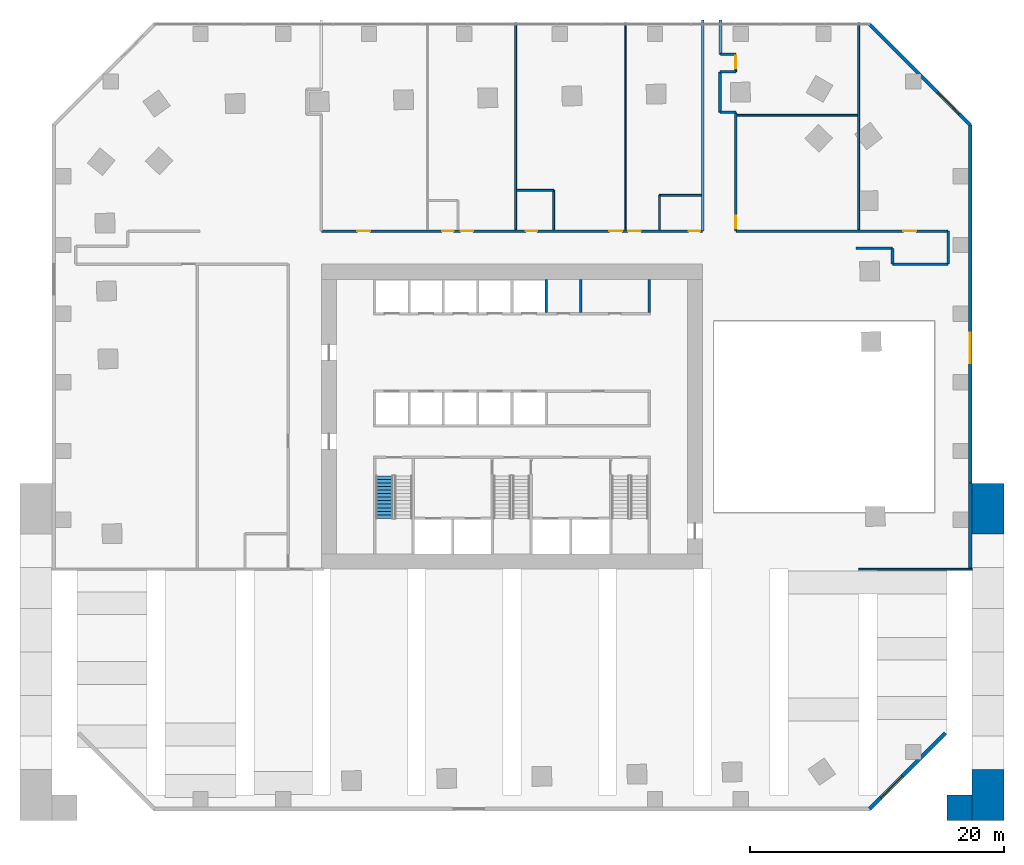
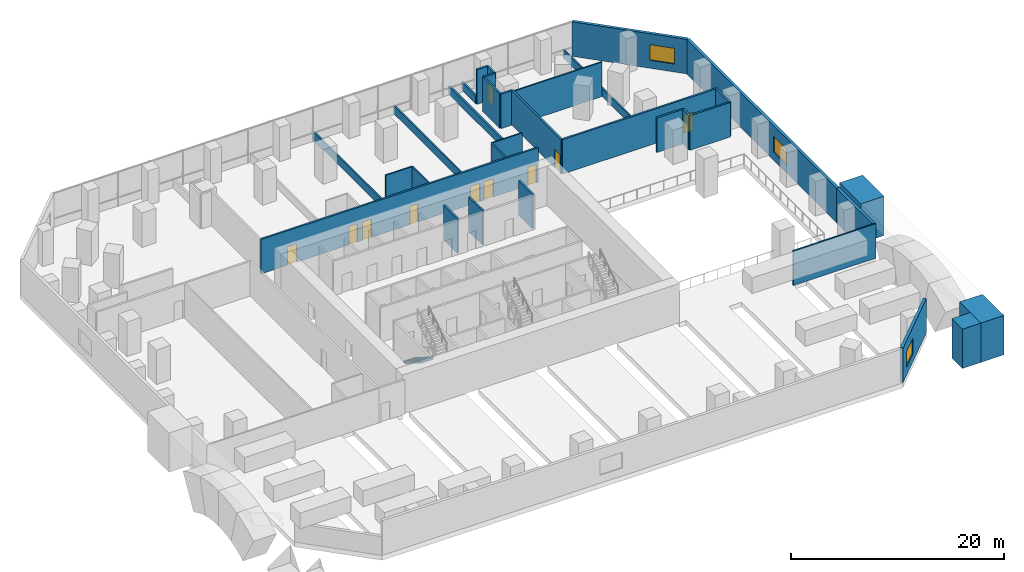
# One storey, part 9 of 13: 33 walls, 10 doors, 3 windows, 1 stair flight, 13 openings, 1 element without a shape of its own.
"""IFC4 building model written with IfcOpenShell, lengths in metres."""

from ifc_helpers import new_model, si_unit, direction, frame, frame_2d, origin, place, context, subcontext, project, spatial, polyline, rectangle, outline, extrude, material, layer, layer_set, type_object, element, fill, aggregate, save


model = new_model("IFC4")

# Units and contexts
model_context = context("Model", 3, precision=1e-05, world=origin(), true_north=direction((0.0, 1.0)))
body_context = subcontext(model_context, "Body", "Model", "MODEL_VIEW")
ifc_project = project(units=[si_unit("LENGTHUNIT", "METRE"), si_unit("AREAUNIT", "SQUARE_METRE"), si_unit("VOLUMEUNIT", "CUBIC_METRE"), si_unit("PLANEANGLEUNIT", "RADIAN"), si_unit("MASSUNIT", "GRAM", prefix="KILO")], contexts=[model_context])

# Site, building, storey
site_placement = place(None, origin())
site = spatial("IfcSite", under=ifc_project, at=site_placement, CompositionType="ELEMENT")
building_placement = place(site_placement, origin())
building = spatial("IfcBuilding", under=site, at=building_placement, Name="Mangrove Gate Tower", CompositionType="ELEMENT")
storey_placement = place(building_placement, frame((0.0, 0.0, 20.5)))
storey = spatial("IfcBuildingStorey", under=building, at=storey_placement, Name="L04", CompositionType="ELEMENT", Elevation=20.5)

# Walls
ifc_material_1 = material(Name="Concrete C32/40", Category="concrete")
ifc_layer_1 = layer(ifc_material_1, 0.199951171875)
ifc_layer_set_1 = layer_set([ifc_layer_1], Name="Core room wall 200 C32/40")
wall_type_1 = type_object("IfcWallType", Name="Core room wall 200 C32/40", PredefinedType="STANDARD", material=ifc_layer_set_1)
for number, where, z_axis, x_axis, name in (
    (1, (5.39990234375, 8.199951171875, 0.0), (0.0, 0.0, 1.0), (0.0, 1.0, 0.0), "WALL-L04-CORE-32"),
    (2, (10.800048828125, 8.199951171875, 0.0), (0.0, 0.0, 1.0), (0.0, 1.0, 0.0), "WALL-L04-CORE-33"),
):
    element("IfcWall", number, at=place(storey_placement, frame(where, z_axis=z_axis, x_axis=x_axis)), inside=storey, type_object=wall_type_1, Name=name, PredefinedType="STANDARD", context=body_context, shape_type="SweptSolid", body=[
        extrude(rectangle(XDim=2.60009765625, YDim=0.199951171875, at=frame_2d((1.300048828125, 0.0))), origin(), (0.0, 0.0, 1.0), 3.949951171875),
    ])
ifc_material_2 = material(Name="Concrete C70/85", Category="concrete")
ifc_layer_2 = layer(ifc_material_2, 0.199951171875)
ifc_layer_set_2 = layer_set([ifc_layer_2], Name="Core shaft wall 200 C70/85")
wall_type_2 = type_object("IfcWallType", Name="Core shaft wall 200 C70/85", PredefinedType="SHEAR", material=ifc_layer_set_2)
wall_1_placement = place(storey_placement, frame((2.699951171875, 8.199951171875, 0.0), z_axis=(0.0, 0.0, 1.0), x_axis=(0.0, 1.0, 0.0)))
element("IfcWall", 3, at=wall_1_placement, inside=storey, type_object=wall_type_2, Name="WALL-L04-CORE-31", PredefinedType="SHEAR", context=body_context, shape_type="SweptSolid", body=[
    extrude(rectangle(XDim=2.60009765625, YDim=0.199951171875, at=frame_2d((1.300048828125, 0.0))), origin(), (0.0, 0.0, 1.0), 3.949951171875),
])
ifc_material_3 = material(Name="Gypsum board on steel stud, EI 60", Category="steel")
ifc_layer_3 = layer(ifc_material_3, 0.199951171875)
ifc_layer_set_3 = layer_set([ifc_layer_3], Name="Corridor wall EI 60")
wall_type_3 = type_object("IfcWallType", Name="Corridor wall EI 60", PredefinedType="PARTITIONING", material=ifc_layer_set_3)
wall_2_placement = place(storey_placement, frame((29.929931640625, 12.0, 0.0), z_axis=(0.0, 0.0, 1.0), x_axis=(0.0, 1.0, 0.0)))
element("IfcWall", 4, at=wall_2_placement, inside=storey, type_object=wall_type_3, Name="WALL-L04-010", PredefinedType="PARTITIONING", context=body_context, shape_type="SweptSolid", body=[
    extrude(rectangle(XDim=1.243896484375, YDim=0.199951171875, at=frame_2d((0.6220703125, 0.0))), origin(), (0.0, 0.0, 1.0), 3.949951171875),
])
wall_3_placement = place(storey_placement, frame((29.93505859375, 12.0, 0.0), z_axis=(0.0, 0.0, 1.0), x_axis=(1.0, 0.0, 0.0)))
element("IfcWall", 5, at=wall_3_placement, inside=storey, type_object=wall_type_3, Name="WALL-L04-011", PredefinedType="PARTITIONING", context=body_context, shape_type="SweptSolid", body=[
    extrude(rectangle(XDim=4.364990234375, YDim=0.199951171875, at=frame_2d((2.1826171875, 0.0))), origin(), (0.0, 0.0, 1.0), 3.949951171875),
])
wall_4_placement = place(storey_placement, frame((34.300048828125, 12.0, 0.0), z_axis=(0.0, 0.0, 1.0), x_axis=(0.0, 1.0, 0.0)))
element("IfcWall", 6, at=wall_4_placement, inside=storey, type_object=wall_type_3, Name="WALL-L04-012", PredefinedType="PARTITIONING", context=body_context, shape_type="SweptSolid", body=[
    extrude(rectangle(XDim=2.60009765625, YDim=0.199951171875, at=frame_2d((1.300048828125, 0.0))), origin(), (0.0, 0.0, 1.0), 3.949951171875),
])
wall_5_placement = place(storey_placement, frame((27.055908203125, 13.239990234375, 0.0), z_axis=(0.0, 0.0, 1.0), x_axis=(1.0, 0.0, 0.0)))
element("IfcWall", 7, at=wall_5_placement, inside=storey, type_object=wall_type_3, Name="WALL-L04-013", PredefinedType="PARTITIONING", context=body_context, shape_type="SweptSolid", body=[
    extrude(rectangle(XDim=2.879150390625, YDim=0.199951171875, at=frame_2d((1.439453125, 0.0))), origin(), (0.0, 0.0, 1.0), 3.949951171875),
])

# Wall, openings, doors
wall_6_placement = place(storey_placement, frame((-15.0, 14.60009765625, 0.0), z_axis=(0.0, 0.0, 1.0), x_axis=(1.0, 0.0, 0.0)))
wall_6 = element("IfcWall", 8, at=wall_6_placement, inside=storey, type_object=wall_type_3, Name="WALL-L04-017", PredefinedType="PARTITIONING", context=body_context, shape_type="SweptSolid", body=[
    extrude(rectangle(XDim=30.0, YDim=0.199951171875, at=frame_2d((15.0, 0.0))), origin(), (0.0, 0.0, 1.0), 3.949951171875),
])
opening_1_placement = place(wall_6_placement, frame((2.841064453125, 0.0, 0.0)))
opening_1 = element("IfcOpeningElement", 9, at=opening_1_placement, cuts=wall_6, Name="Opening AD", PredefinedType="OPENING", context=body_context, shape_type="SweptSolid", body=[
    extrude(rectangle(XDim=1.0, YDim=2.10009765625, at=frame_2d((0.5, 1.050048828125))), frame((0.0, 0.10986328125, 0.0), z_axis=(0.0, -1.0, 0.0), x_axis=(1.0, 0.0, 0.0)), (0.0, 0.0, 1.0), 0.219970703125),
])
opening_2_placement = place(wall_6_placement, frame((10.949951171875, 0.0, 0.0)))
opening_2 = element("IfcOpeningElement", 10, at=opening_2_placement, cuts=wall_6, Name="Opening AD", PredefinedType="OPENING", context=body_context, shape_type="SweptSolid", body=[
    extrude(rectangle(XDim=1.0, YDim=2.10009765625, at=frame_2d((0.5, 1.050048828125))), frame((0.0, 0.10986328125, 0.0), z_axis=(0.0, -1.0, 0.0), x_axis=(1.0, 0.0, 0.0)), (0.0, 0.0, 1.0), 0.219970703125),
])
opening_3_placement = place(wall_6_placement, frame((9.507080078125, 0.0, 0.0)))
opening_3 = element("IfcOpeningElement", 11, at=opening_3_placement, cuts=wall_6, Name="Opening SD", PredefinedType="OPENING", context=body_context, shape_type="SweptSolid", body=[
    extrude(rectangle(XDim=0.89990234375, YDim=2.10009765625, at=frame_2d((0.449951171875, 1.050048828125))), frame((0.0, 0.10986328125, 0.0), z_axis=(0.0, -1.0, 0.0), x_axis=(1.0, 0.0, 0.0)), (0.0, 0.0, 1.0), 0.219970703125),
])
opening_4_placement = place(wall_6_placement, frame((22.657958984375, 0.0, 0.0)))
opening_4 = element("IfcOpeningElement", 12, at=opening_4_placement, cuts=wall_6, Name="Opening AD", PredefinedType="OPENING", context=body_context, shape_type="SweptSolid", body=[
    extrude(rectangle(XDim=1.0, YDim=2.10009765625, at=frame_2d((0.5, 1.050048828125))), frame((0.0, 0.10986328125, 0.0), z_axis=(0.0, -1.0, 0.0), x_axis=(1.0, 0.0, 0.0)), (0.0, 0.0, 1.0), 0.219970703125),
])
opening_5_placement = place(wall_6_placement, frame((16.083984375, 0.0, 0.0)))
opening_5 = element("IfcOpeningElement", 13, at=opening_5_placement, cuts=wall_6, Name="Opening SD", PredefinedType="OPENING", context=body_context, shape_type="SweptSolid", body=[
    extrude(rectangle(XDim=0.89990234375, YDim=2.10009765625, at=frame_2d((0.449951171875, 1.050048828125))), frame((0.0, 0.10986328125, 0.0), z_axis=(0.0, -1.0, 0.0), x_axis=(1.0, 0.0, 0.0)), (0.0, 0.0, 1.0), 0.219970703125),
])
opening_6_placement = place(wall_6_placement, frame((24.1298828125, 0.0, 0.0)))
opening_6 = element("IfcOpeningElement", 14, at=opening_6_placement, cuts=wall_6, Name="Opening AD", PredefinedType="OPENING", context=body_context, shape_type="SweptSolid", body=[
    extrude(rectangle(XDim=1.0, YDim=2.10009765625, at=frame_2d((0.5, 1.050048828125))), frame((0.0, 0.10986328125, 0.0), z_axis=(0.0, -1.0, 0.0), x_axis=(1.0, 0.0, 0.0)), (0.0, 0.0, 1.0), 0.219970703125),
])
opening_7_placement = place(wall_6_placement, frame((28.89990234375, 0.0, 0.0)))
opening_7 = element("IfcOpeningElement", 15, at=opening_7_placement, cuts=wall_6, Name="Opening SD", PredefinedType="OPENING", context=body_context, shape_type="SweptSolid", body=[
    extrude(rectangle(XDim=0.89990234375, YDim=2.10009765625, at=frame_2d((0.449951171875, 1.050048828125))), frame((0.0, 0.10986328125, 0.0), z_axis=(0.0, -1.0, 0.0), x_axis=(1.0, 0.0, 0.0)), (0.0, 0.0, 1.0), 0.219970703125),
])
ifc_material_4 = material(Name="Timber door leaf", Category="wood")
door_type_1 = type_object("IfcDoorType", Name="Amenity door 1000", OperationType="SINGLE_SWING_LEFT", PredefinedType="DOOR", material=ifc_material_4)
door_1_placement = place(opening_1_placement, origin())
door_1 = element("IfcDoor", 16, at=door_1_placement, inside=storey, type_object=door_type_1, Name="DOOR-L04-POD-04", OperationType="SINGLE_SWING_RIGHT", OverallHeight=2.10009765625, OverallWidth=1.0, PredefinedType="DOOR", context=body_context, shape_type="SweptSolid", body=[
    extrude(rectangle(XDim=1.0, YDim=2.10009765625, at=frame_2d((0.5, 1.050048828125))), frame((0.0, 0.02490234375, 0.0), z_axis=(0.0, -1.0, 0.0), x_axis=(1.0, 0.0, 0.0)), (0.0, 0.0, 1.0), 0.050048828125),
])
fill(opening_1, door_1)
door_2_placement = place(opening_2_placement, origin())
door_2 = element("IfcDoor", 17, at=door_2_placement, inside=storey, type_object=door_type_1, Name="DOOR-L04-POD-05", OperationType="SINGLE_SWING_LEFT", OverallHeight=2.10009765625, OverallWidth=1.0, PredefinedType="DOOR", context=body_context, shape_type="SweptSolid", body=[
    extrude(rectangle(XDim=1.0, YDim=2.10009765625, at=frame_2d((0.5, 1.050048828125))), frame((0.0, 0.02490234375, 0.0), z_axis=(0.0, -1.0, 0.0), x_axis=(1.0, 0.0, 0.0)), (0.0, 0.0, 1.0), 0.050048828125),
])
fill(opening_2, door_2)
door_3_placement = place(opening_4_placement, origin())
door_3 = element("IfcDoor", 18, at=door_3_placement, inside=storey, type_object=door_type_1, Name="DOOR-L04-POD-06", OperationType="SINGLE_SWING_RIGHT", OverallHeight=2.10009765625, OverallWidth=1.0, PredefinedType="DOOR", context=body_context, shape_type="SweptSolid", body=[
    extrude(rectangle(XDim=1.0, YDim=2.10009765625, at=frame_2d((0.5, 1.050048828125))), frame((0.0, 0.02490234375, 0.0), z_axis=(0.0, -1.0, 0.0), x_axis=(1.0, 0.0, 0.0)), (0.0, 0.0, 1.0), 0.050048828125),
])
fill(opening_4, door_3)
door_4_placement = place(opening_6_placement, origin())
door_4 = element("IfcDoor", 19, at=door_4_placement, inside=storey, type_object=door_type_1, Name="DOOR-L04-POD-07", OperationType="SINGLE_SWING_LEFT", OverallHeight=2.10009765625, OverallWidth=1.0, PredefinedType="DOOR", context=body_context, shape_type="SweptSolid", body=[
    extrude(rectangle(XDim=1.0, YDim=2.10009765625, at=frame_2d((0.5, 1.050048828125))), frame((0.0, 0.02490234375, 0.0), z_axis=(0.0, -1.0, 0.0), x_axis=(1.0, 0.0, 0.0)), (0.0, 0.0, 1.0), 0.050048828125),
])
fill(opening_6, door_4)
ifc_material_5 = material(Name="Timber door leaf", Category="wood")
door_type_2 = type_object("IfcDoorType", Name="Service room door 900", OperationType="SINGLE_SWING_LEFT", PredefinedType="DOOR", material=ifc_material_5)
door_5_placement = place(opening_3_placement, origin())
door_5 = element("IfcDoor", 20, at=door_5_placement, inside=storey, type_object=door_type_2, Name="DOOR-L04-PSV-05", OperationType="SINGLE_SWING_RIGHT", OverallHeight=2.10009765625, OverallWidth=0.89990234375, PredefinedType="DOOR", context=body_context, shape_type="SweptSolid", body=[
    extrude(rectangle(XDim=0.89990234375, YDim=2.10009765625, at=frame_2d((0.449951171875, 1.050048828125))), frame((0.0, 0.02490234375, 0.0), z_axis=(0.0, -1.0, 0.0), x_axis=(1.0, 0.0, 0.0)), (0.0, 0.0, 1.0), 0.050048828125),
])
fill(opening_3, door_5)
door_6_placement = place(opening_5_placement, origin())
door_6 = element("IfcDoor", 21, at=door_6_placement, inside=storey, type_object=door_type_2, Name="DOOR-L04-PSV-06", OperationType="SINGLE_SWING_LEFT", OverallHeight=2.10009765625, OverallWidth=0.89990234375, PredefinedType="DOOR", context=body_context, shape_type="SweptSolid", body=[
    extrude(rectangle(XDim=0.89990234375, YDim=2.10009765625, at=frame_2d((0.449951171875, 1.050048828125))), frame((0.0, 0.02490234375, 0.0), z_axis=(0.0, -1.0, 0.0), x_axis=(1.0, 0.0, 0.0)), (0.0, 0.0, 1.0), 0.050048828125),
])
fill(opening_5, door_6)
door_7_placement = place(opening_7_placement, origin())
door_7 = element("IfcDoor", 22, at=door_7_placement, inside=storey, type_object=door_type_2, Name="DOOR-L04-PSV-07", OperationType="SINGLE_SWING_RIGHT", OverallHeight=2.10009765625, OverallWidth=0.89990234375, PredefinedType="DOOR", context=body_context, shape_type="SweptSolid", body=[
    extrude(rectangle(XDim=0.89990234375, YDim=2.10009765625, at=frame_2d((0.449951171875, 1.050048828125))), frame((0.0, 0.02490234375, 0.0), z_axis=(0.0, -1.0, 0.0), x_axis=(1.0, 0.0, 0.0)), (0.0, 0.0, 1.0), 0.050048828125),
])
fill(opening_7, door_7)

# Wall
wall_7_placement = place(storey_placement, frame((15.0, 14.60009765625, 0.0), z_axis=(0.0, 0.0, 1.0), x_axis=(0.0, 1.0, 0.0)))
element("IfcWall", 23, at=wall_7_placement, inside=storey, type_object=wall_type_3, Name="WALL-L04-025", PredefinedType="PARTITIONING", context=body_context, shape_type="SweptSolid", body=[
    extrude(rectangle(XDim=16.599853515625, YDim=0.199951171875, at=frame_2d((8.2998046875, 0.0))), origin(), (0.0, 0.0, 1.0), 0.93994140625),
])

# Wall, opening, door
wall_8_placement = place(storey_placement, frame((17.60009765625, 14.60009765625, 0.0), z_axis=(0.0, 0.0, 1.0), x_axis=(1.0, 0.0, 0.0)))
wall_8 = element("IfcWall", 24, at=wall_8_placement, inside=storey, type_object=wall_type_3, Name="WALL-L04-026", PredefinedType="PARTITIONING", context=body_context, shape_type="SweptSolid", body=[
    extrude(rectangle(XDim=16.699951171875, YDim=0.199951171875, at=frame_2d((8.35009765625, 0.0))), origin(), (0.0, 0.0, 1.0), 3.949951171875),
])
opening_8_placement = place(wall_8_placement, frame((13.194091796875, 0.0, 0.0)))
opening_8 = element("IfcOpeningElement", 25, at=opening_8_placement, cuts=wall_8, Name="Opening AD", PredefinedType="OPENING", context=body_context, shape_type="SweptSolid", body=[
    extrude(rectangle(XDim=1.0, YDim=2.10009765625, at=frame_2d((0.5, 1.050048828125))), frame((0.0, 0.10986328125, 0.0), z_axis=(0.0, -1.0, 0.0), x_axis=(1.0, 0.0, 0.0)), (0.0, 0.0, 1.0), 0.219970703125),
])
door_8_placement = place(opening_8_placement, origin())
door_8 = element("IfcDoor", 26, at=door_8_placement, inside=storey, type_object=door_type_1, Name="DOOR-L04-POD-03", OperationType="SINGLE_SWING_LEFT", OverallHeight=2.10009765625, OverallWidth=1.0, PredefinedType="DOOR", context=body_context, shape_type="SweptSolid", body=[
    extrude(rectangle(XDim=1.0, YDim=2.10009765625, at=frame_2d((0.5, 1.050048828125))), frame((0.0, 0.02490234375, 0.0), z_axis=(0.0, -1.0, 0.0), x_axis=(1.0, 0.0, 0.0)), (0.0, 0.0, 1.0), 0.050048828125),
])
fill(opening_8, door_8)

wall_9_placement = place(storey_placement, frame((17.60009765625, 14.60009765625, 0.0), z_axis=(0.0, 0.0, 1.0), x_axis=(0.0, 1.0, 0.0)))
wall_9 = element("IfcWall", 27, at=wall_9_placement, inside=storey, type_object=wall_type_3, Name="WALL-L04-027", PredefinedType="PARTITIONING", context=body_context, shape_type="SweptSolid", body=[
    extrude(rectangle(XDim=9.325927734375, YDim=0.199951171875, at=frame_2d((4.6630859375, 0.0))), origin(), (0.0, 0.0, 1.0), 3.949951171875),
])
opening_9_placement = place(wall_9_placement, frame((0.199951171875, 0.0, 0.0)))
opening_9 = element("IfcOpeningElement", 28, at=opening_9_placement, cuts=wall_9, Name="Opening AD", PredefinedType="OPENING", context=body_context, shape_type="SweptSolid", body=[
    extrude(rectangle(XDim=1.0, YDim=2.10009765625, at=frame_2d((0.5, 1.050048828125))), frame((0.0, 0.10986328125, 0.0), z_axis=(0.0, -1.0, 0.0), x_axis=(1.0, 0.0, 0.0)), (0.0, 0.0, 1.0), 0.219970703125),
])
door_9_placement = place(opening_9_placement, origin())
door_9 = element("IfcDoor", 29, at=door_9_placement, inside=storey, type_object=door_type_1, Name="DOOR-L04-POD-08", OperationType="SINGLE_SWING_RIGHT", OverallHeight=2.10009765625, OverallWidth=1.0, PredefinedType="DOOR", context=body_context, shape_type="SweptSolid", body=[
    extrude(rectangle(XDim=1.0, YDim=2.10009765625, at=frame_2d((0.5, 1.050048828125))), frame((0.0, 0.02490234375, 0.0), z_axis=(0.0, -1.0, 0.0), x_axis=(1.0, 0.0, 0.0)), (0.0, 0.0, 1.0), 0.050048828125),
])
fill(opening_9, door_9)

# Walls
wall_10_placement = place(storey_placement, frame((16.360107421875, 23.926025390625, 0.0), z_axis=(0.0, 0.0, 1.0), x_axis=(0.0, 1.0, 0.0)))
element("IfcWall", 30, at=wall_10_placement, inside=storey, type_object=wall_type_3, Name="WALL-L04-035", PredefinedType="PARTITIONING", context=body_context, shape_type="SweptSolid", body=[
    extrude(rectangle(XDim=3.199951171875, YDim=0.199951171875, at=frame_2d((1.60009765625, 0.0))), origin(), (0.0, 0.0, 1.0), 3.949951171875),
])
wall_11_placement = place(storey_placement, frame((16.364013671875, 23.929931640625, 0.0), z_axis=(0.0, 0.0, 1.0), x_axis=(1.0, 0.0, 0.0)))
element("IfcWall", 31, at=wall_11_placement, inside=storey, type_object=wall_type_3, Name="WALL-L04-036", PredefinedType="PARTITIONING", context=body_context, shape_type="SweptSolid", body=[
    extrude(rectangle(XDim=1.236083984375, YDim=0.199951171875, at=frame_2d((0.6181640625, 0.0))), origin(), (0.0, 0.0, 1.0), 3.949951171875),
])

# Wall, opening, door
wall_12_placement = place(storey_placement, frame((17.60009765625, 27.1259765625, 0.0), z_axis=(0.0, 0.0, 1.0), x_axis=(0.0, 1.0, 0.0)))
wall_12 = element("IfcWall", 32, at=wall_12_placement, inside=storey, type_object=wall_type_3, Name="WALL-L04-039", PredefinedType="PARTITIONING", context=body_context, shape_type="SweptSolid", body=[
    extrude(rectangle(XDim=1.3740234375, YDim=0.199951171875, at=frame_2d((0.68701171875, 0.0))), origin(), (0.0, 0.0, 1.0), 3.949951171875),
])
opening_10_placement = place(wall_12_placement, frame((0.27392578125, 0.0, 0.0)))
opening_10 = element("IfcOpeningElement", 33, at=opening_10_placement, cuts=wall_12, Name="Opening AD", PredefinedType="OPENING", context=body_context, shape_type="SweptSolid", body=[
    extrude(rectangle(XDim=1.0, YDim=2.10009765625, at=frame_2d((0.5, 1.050048828125))), frame((0.0, 0.10986328125, 0.0), z_axis=(0.0, -1.0, 0.0), x_axis=(1.0, 0.0, 0.0)), (0.0, 0.0, 1.0), 0.219970703125),
])
door_10_placement = place(opening_10_placement, origin())
door_10 = element("IfcDoor", 34, at=door_10_placement, inside=storey, type_object=door_type_1, Name="DOOR-L04-POD-08b", OperationType="SINGLE_SWING_LEFT", OverallHeight=2.10009765625, OverallWidth=1.0, PredefinedType="DOOR", context=body_context, shape_type="SweptSolid", body=[
    extrude(rectangle(XDim=1.0, YDim=2.10009765625, at=frame_2d((0.5, 1.050048828125))), frame((0.0, 0.02490234375, 0.0), z_axis=(0.0, -1.0, 0.0), x_axis=(1.0, 0.0, 0.0)), (0.0, 0.0, 1.0), 0.050048828125),
])
fill(opening_10, door_10)

# Walls
wall_13_placement = place(storey_placement, frame((16.364013671875, 27.1298828125, 0.0), z_axis=(0.0, 0.0, 1.0), x_axis=(1.0, 0.0, 0.0)))
element("IfcWall", 35, at=wall_13_placement, inside=storey, type_object=wall_type_3, Name="WALL-L04-040", PredefinedType="PARTITIONING", context=body_context, shape_type="SweptSolid", body=[
    extrude(rectangle(XDim=1.236083984375, YDim=0.199951171875, at=frame_2d((0.6181640625, 0.0))), origin(), (0.0, 0.0, 1.0), 3.949951171875),
])
wall_14_placement = place(storey_placement, frame((16.39990234375, 28.5, 0.0), z_axis=(0.0, 0.0, 1.0), x_axis=(1.0, 0.0, 0.0)))
element("IfcWall", 36, at=wall_14_placement, inside=storey, type_object=wall_type_3, Name="WALL-L04-041", PredefinedType="PARTITIONING", context=body_context, shape_type="SweptSolid", body=[
    extrude(rectangle(XDim=1.2001953125, YDim=0.199951171875, at=frame_2d((0.60009765625, 0.0))), origin(), (0.0, 0.0, 1.0), 3.949951171875),
])
wall_15_placement = place(storey_placement, frame((16.39990234375, 28.5, 0.0), z_axis=(0.0, 0.0, 1.0), x_axis=(0.0, 1.0, 0.0)))
element("IfcWall", 37, at=wall_15_placement, inside=storey, type_object=wall_type_3, Name="WALL-L04-042", PredefinedType="PARTITIONING", context=body_context, shape_type="SweptSolid", body=[
    extrude(rectangle(XDim=2.699951171875, YDim=0.199951171875, at=frame_2d((1.35009765625, 0.0))), origin(), (0.0, 0.0, 1.0), 0.93994140625),
])

# Wall, opening, window
ifc_material_6 = material(Name="Limestone", Category="masonry")
ifc_layer_4 = layer(ifc_material_6, 0.0400390625, Name="Limestone cladding")
ifc_material_7 = material(Name="Ventilated air gap")
ifc_layer_5 = layer(ifc_material_7, 0.0400390625, Name="Ventilated cavity")
ifc_material_8 = material(Name="Mineral wool insulation")
ifc_layer_6 = layer(ifc_material_8, 0.06005859375, Name="Insulation")
ifc_material_9 = material(Name="Breather membrane")
ifc_layer_7 = layer(ifc_material_9, 0.001953125, Name="Breather membrane")
ifc_material_10 = material(Name="Concrete C20/25 blockwork", Category="masonry")
ifc_layer_8 = layer(ifc_material_10, 0.14990234375, Name="Blockwork backing wall")
ifc_material_11 = material(Name="Gypsum plaster")
ifc_layer_9 = layer(ifc_material_11, 0.008056640625, Name="Internal plaster")
ifc_layer_set_4 = layer_set([ifc_layer_4, ifc_layer_5, ifc_layer_6, ifc_layer_7, ifc_layer_8, ifc_layer_9], Name="External wall 300 limestone cladding")
wall_type_4 = type_object("IfcWallType", Name="External wall 300 limestone cladding", PredefinedType="SOLIDWALL", material=ifc_layer_set_4)
wall_16_placement = place(storey_placement, frame((28.137939453125, -30.85009765625, 0.0), z_axis=(0.0, 0.0, 1.0), x_axis=(0.707106781187, 0.707106781187, 0.0)))
wall_16 = element("IfcWall", 38, at=wall_16_placement, inside=storey, type_object=wall_type_4, Name="WALL-L04-S0s1", PredefinedType="SOLIDWALL", context=body_context, shape_type="SweptSolid", body=[
    extrude(rectangle(XDim=8.423095703125, YDim=0.300048828125, at=frame_2d((4.21142578125, 0.0))), origin(), (0.0, 0.0, 1.0), 3.949951171875),
])
opening_11_placement = place(wall_16_placement, frame((1.241943359375, 0.0, 0.89990234375)))
opening_11 = element("IfcOpeningElement", 39, at=opening_11_placement, cuts=wall_16, Name="Opening W3", PredefinedType="OPENING", context=body_context, shape_type="SweptSolid", body=[
    extrude(rectangle(XDim=2.39990234375, YDim=1.800048828125, at=frame_2d((1.199951171875, 0.89990234375))), frame((0.0, 0.159912109375, 0.0), z_axis=(0.0, -1.0, 0.0), x_axis=(1.0, 0.0, 0.0)), (0.0, 0.0, 1.0), 0.320068359375),
])
ifc_material_12 = material(Name="Aluminium frame with double-glazed low-e glass", Category="aluminium")
window_type = type_object("IfcWindowType", Name="Podium window 2400x1800", PartitioningType="DOUBLE_PANEL_VERTICAL", PredefinedType="WINDOW", material=ifc_material_12)
window_1_placement = place(opening_11_placement, origin())
window_1 = element("IfcWindow", 40, at=window_1_placement, inside=storey, type_object=window_type, Name="WIN-L04-S0-1", OverallHeight=1.800048828125, OverallWidth=2.39990234375, PartitioningType="DOUBLE_PANEL_VERTICAL", PredefinedType="WINDOW", context=body_context, shape_type="SweptSolid", body=[
    extrude(rectangle(XDim=2.39990234375, YDim=1.800048828125, at=frame_2d((1.199951171875, 0.89990234375))), frame((0.0, 0.030029296875, 0.0), z_axis=(0.0, -1.0, 0.0), x_axis=(1.0, 0.0, 0.0)), (0.0, 0.0, 1.0), 0.06005859375),
])
fill(opening_11, window_1)

# Wall
wall_17_placement = place(storey_placement, frame((36.050048828125, -12.0, 0.0), z_axis=(0.0, 0.0, 1.0), x_axis=(0.0, 1.0, 0.0)))
element("IfcWall", 41, at=wall_17_placement, inside=storey, type_object=wall_type_4, Name="WALL-L04-E3010s1", PredefinedType="SOLIDWALL", context=body_context, shape_type="SweptSolid", body=[
    extrude(rectangle(XDim=6.763916015625, YDim=0.300048828125, at=frame_2d((3.3818359375, 0.0))), origin(), (0.0, 0.0, 1.0), 3.949951171875),
])

# Wall, opening, window
wall_18_placement = place(storey_placement, frame((36.050048828125, -5.236083984375, 0.0), z_axis=(0.0, 0.0, 1.0), x_axis=(0.0, 1.0, 0.0)))
wall_18 = element("IfcWall", 42, at=wall_18_placement, inside=storey, type_object=wall_type_4, Name="WALL-L04-E1", PredefinedType="SOLIDWALL", context=body_context, shape_type="SweptSolid", body=[
    extrude(rectangle(XDim=28.174072265625, YDim=0.300048828125, at=frame_2d((14.0869140625, 0.0))), origin(), (0.0, 0.0, 1.0), 3.949951171875),
])
opening_12_placement = place(wall_18_placement, frame((9.43603515625, 0.0, 0.89990234375)))
opening_12 = element("IfcOpeningElement", 43, at=opening_12_placement, cuts=wall_18, Name="Opening W3", PredefinedType="OPENING", context=body_context, shape_type="SweptSolid", body=[
    extrude(rectangle(XDim=2.39990234375, YDim=1.800048828125, at=frame_2d((1.199951171875, 0.89990234375))), frame((0.0, 0.159912109375, 0.0), z_axis=(0.0, -1.0, 0.0), x_axis=(1.0, 0.0, 0.0)), (0.0, 0.0, 1.0), 0.320068359375),
])
window_2_placement = place(opening_12_placement, origin())
window_2 = element("IfcWindow", 44, at=window_2_placement, inside=storey, type_object=window_type, Name="WIN-L04-E1-1", OverallHeight=1.800048828125, OverallWidth=2.39990234375, PartitioningType="DOUBLE_PANEL_VERTICAL", PredefinedType="WINDOW", context=body_context, shape_type="SweptSolid", body=[
    extrude(rectangle(XDim=2.39990234375, YDim=1.800048828125, at=frame_2d((1.199951171875, 0.89990234375))), frame((0.0, 0.030029296875, 0.0), z_axis=(0.0, -1.0, 0.0), x_axis=(1.0, 0.0, 0.0)), (0.0, 0.0, 1.0), 0.06005859375),
])
fill(opening_12, window_2)

wall_19_placement = place(storey_placement, frame((36.050048828125, 22.93798828125, 0.0), z_axis=(0.0, 0.0, 1.0), x_axis=(-0.707106781187, 0.707106781187, 0.0)))
wall_19 = element("IfcWall", 45, at=wall_19_placement, inside=storey, type_object=wall_type_4, Name="WALL-L04-N2", PredefinedType="SOLIDWALL", context=body_context, shape_type="SweptSolid", body=[
    extrude(rectangle(XDim=11.189453125, YDim=0.300048828125, at=frame_2d((5.5947265625, 0.0))), origin(), (0.0, 0.0, 1.0), 3.949951171875),
])
opening_13_placement = place(wall_19_placement, frame((1.241943359375, 0.0, 0.89990234375)))
opening_13 = element("IfcOpeningElement", 46, at=opening_13_placement, cuts=wall_19, Name="Opening W3", PredefinedType="OPENING", context=body_context, shape_type="SweptSolid", body=[
    extrude(rectangle(XDim=2.39990234375, YDim=1.800048828125, at=frame_2d((1.199951171875, 0.89990234375))), frame((0.0, 0.159912109375, 0.0), z_axis=(0.0, -1.0, 0.0), x_axis=(1.0, 0.0, 0.0)), (0.0, 0.0, 1.0), 0.320068359375),
])
window_3_placement = place(opening_13_placement, origin())
window_3 = element("IfcWindow", 47, at=window_3_placement, inside=storey, type_object=window_type, Name="WIN-L04-N2-1", OverallHeight=1.800048828125, OverallWidth=2.39990234375, PartitioningType="DOUBLE_PANEL_VERTICAL", PredefinedType="WINDOW", context=body_context, shape_type="SweptSolid", body=[
    extrude(rectangle(XDim=2.39990234375, YDim=1.800048828125, at=frame_2d((1.199951171875, 0.89990234375))), frame((0.0, 0.030029296875, 0.0), z_axis=(0.0, -1.0, 0.0), x_axis=(1.0, 0.0, 0.0)), (0.0, 0.0, 1.0), 0.06005859375),
])
fill(opening_13, window_3)

# Walls
ifc_material_13 = material(Name="Gypsum board on steel stud, EI 60", Category="steel")
ifc_layer_10 = layer(ifc_material_13, 0.14990234375)
ifc_layer_set_5 = layer_set([ifc_layer_10], Name="Party wall 150 EI 60")
wall_type_5 = type_object("IfcWallType", Name="Party wall 150 EI 60", PredefinedType="PARTITIONING", material=ifc_layer_set_5)
wall_20_placement = place(storey_placement, frame((27.256103515625, -12.0, 0.0), z_axis=(0.0, 0.0, 1.0), x_axis=(1.0, 0.0, 0.0)))
element("IfcWall", 48, at=wall_20_placement, inside=storey, type_object=wall_type_5, Name="WALL-L04-006", PredefinedType="PARTITIONING", context=body_context, shape_type="SweptSolid", body=[
    extrude(rectangle(XDim=8.94384765625, YDim=0.14990234375, at=frame_2d((4.471923828125, 0.0))), origin(), (0.0, 0.0, 1.0), 3.949951171875),
])
wall_21_placement = place(storey_placement, frame((0.280029296875, 14.699951171875, 0.0), z_axis=(0.0, 0.0, 1.0), x_axis=(0.0, 1.0, 0.0)))
element("IfcWall", 49, at=wall_21_placement, inside=storey, type_object=wall_type_5, Name="WALL-L04-021", PredefinedType="PARTITIONING", context=body_context, shape_type="SweptSolid", body=[
    extrude(rectangle(XDim=16.300048828125, YDim=0.14990234375, at=frame_2d((8.14990234375, 0.0))), origin(), (0.0, 0.0, 1.0), 0.93994140625),
])
wall_22_placement = place(storey_placement, frame((3.280029296875, 14.699951171875, 0.0), z_axis=(0.0, 0.0, 1.0), x_axis=(0.0, 1.0, 0.0)))
element("IfcWall", 50, at=wall_22_placement, inside=storey, type_object=wall_type_5, Name="WALL-L04-022", PredefinedType="PARTITIONING", context=body_context, shape_type="SweptSolid", body=[
    extrude(rectangle(XDim=3.10009765625, YDim=0.14990234375, at=frame_2d((1.550048828125, 0.0))), origin(), (0.0, 0.0, 1.0), 3.949951171875),
])
wall_23_placement = place(storey_placement, frame((8.929931640625, 14.699951171875, 0.0), z_axis=(0.0, 0.0, 1.0), x_axis=(0.0, 1.0, 0.0)))
element("IfcWall", 51, at=wall_23_placement, inside=storey, type_object=wall_type_5, Name="WALL-L04-023", PredefinedType="PARTITIONING", context=body_context, shape_type="SweptSolid", body=[
    extrude(rectangle(XDim=16.300048828125, YDim=0.14990234375, at=frame_2d((8.14990234375, 0.0))), origin(), (0.0, 0.0, 1.0), 0.93994140625),
])
wall_24_placement = place(storey_placement, frame((11.60009765625, 14.699951171875, 0.0), z_axis=(0.0, 0.0, 1.0), x_axis=(0.0, 1.0, 0.0)))
element("IfcWall", 52, at=wall_24_placement, inside=storey, type_object=wall_type_5, Name="WALL-L04-024", PredefinedType="PARTITIONING", context=body_context, shape_type="SweptSolid", body=[
    extrude(rectangle(XDim=2.699951171875, YDim=0.14990234375, at=frame_2d((1.35009765625, 0.0))), origin(), (0.0, 0.0, 1.0), 3.949951171875),
])
wall_25_placement = place(storey_placement, frame((27.260009765625, 14.699951171875, 0.0), z_axis=(0.0, 0.0, 1.0), x_axis=(0.0, 1.0, 0.0)))
element("IfcWall", 53, at=wall_25_placement, inside=storey, type_object=wall_type_5, Name="WALL-L04-028", PredefinedType="PARTITIONING", context=body_context, shape_type="SweptSolid", body=[
    extrude(rectangle(XDim=16.300048828125, YDim=0.14990234375, at=frame_2d((8.14990234375, 0.0))), origin(), (0.0, 0.0, 1.0), 0.93994140625),
])
wall_26_placement = place(storey_placement, frame((11.60009765625, 17.39990234375, 0.0), z_axis=(0.0, 0.0, 1.0), x_axis=(1.0, 0.0, 0.0)))
element("IfcWall", 54, at=wall_26_placement, inside=storey, type_object=wall_type_5, Name="WALL-L04-030", PredefinedType="PARTITIONING", context=body_context, shape_type="SweptSolid", body=[
    extrude(rectangle(XDim=3.2998046875, YDim=0.14990234375, at=frame_2d((1.64990234375, 0.0))), origin(), (0.0, 0.0, 1.0), 3.949951171875),
])
wall_27_placement = place(storey_placement, frame((0.35498046875, 17.800048828125, 0.0), z_axis=(0.0, 0.0, 1.0), x_axis=(1.0, 0.0, 0.0)))
element("IfcWall", 55, at=wall_27_placement, inside=storey, type_object=wall_type_5, Name="WALL-L04-031", PredefinedType="PARTITIONING", context=body_context, shape_type="SweptSolid", body=[
    extrude(rectangle(XDim=2.925048828125, YDim=0.14990234375, at=frame_2d((1.46240234375, 0.0))), origin(), (0.0, 0.0, 1.0), 3.949951171875),
])
wall_28_placement = place(storey_placement, frame((17.699951171875, 23.7099609375, 0.0), z_axis=(0.0, 0.0, 1.0), x_axis=(1.0, 0.0, 0.0)))
element("IfcWall", 56, at=wall_28_placement, inside=storey, type_object=wall_type_5, Name="WALL-L04-032", PredefinedType="PARTITIONING", context=body_context, shape_type="SweptSolid", body=[
    extrude(rectangle(XDim=9.485107421875, YDim=0.14990234375, at=frame_2d((4.74267578125, 0.0))), origin(), (0.0, 0.0, 1.0), 3.949951171875),
])
ifc_layer_11 = layer(ifc_material_6, 0.06005859375, Name="Limestone cladding")
ifc_material_14 = material(Name="Concrete C40/50", Category="concrete")
ifc_layer_12 = layer(ifc_material_14, 2.340087890625, Name="Gate core wall")
ifc_layer_13 = layer(ifc_material_6, 0.10009765625, Name="Limestone reveal lining")
ifc_layer_set_6 = layer_set([ifc_layer_11, ifc_layer_12, ifc_layer_13], Name="Stone gate wall 2500")
wall_type_6 = type_object("IfcWallType", Name="Stone gate wall 2500", PredefinedType="STANDARD", material=ifc_layer_set_6)
for number, where, z_axis, x_axis, name in (
    (57, (37.449951171875, -31.75, 0.0), (0.0, 0.0, 1.0), (0.0, 1.0, 0.0), "ARCH PIER E 1"),
    (58, (37.449951171875, -9.25, 0.0), (0.0, 0.0, 1.0), (0.0, 1.0, 0.0), "ARCH PIER E 2"),
):
    element("IfcWall", number, at=place(storey_placement, frame(where, z_axis=z_axis, x_axis=x_axis)), inside=storey, type_object=wall_type_6, Name=name, PredefinedType="STANDARD", context=body_context, shape_type="SweptSolid", body=[
        extrude(rectangle(XDim=4.0, YDim=2.5, at=frame_2d((2.0, 0.0))), origin(), (0.0, 0.0, 1.0), 4.5),
    ])
wall_29_placement = place(storey_placement, frame((34.199951171875, -30.75, 0.0), z_axis=(0.0, 0.0, 1.0), x_axis=(1.0, 0.0, 0.0)))
element("IfcWall", 59, at=wall_29_placement, inside=storey, type_object=wall_type_6, Name="ARCH RETURN E", PredefinedType="STANDARD", context=body_context, shape_type="SweptSolid", body=[
    extrude(rectangle(XDim=2.0, YDim=2.0, at=frame_2d((1.0, 0.0))), origin(), (0.0, 0.0, 1.0), 4.5),
])

# Stair, stair flight
ifc_material_15 = material(Name="Concrete C40/50", Category="concrete")
stair_type = type_object("IfcStairType", Name="Core stair 1350", PredefinedType="HALF_TURN_STAIR", material=ifc_material_15)
stair_placement = place(storey_placement, origin())
stair = element("IfcStair", 60, at=stair_placement, inside=storey, type_object=stair_type, Name="L04 Stair 1", PredefinedType="HALF_TURN_STAIR")
ifc_material_16 = material(Name="Concrete C40/50", Category="concrete")
stair_flight_type = type_object("IfcStairFlightType", Name="Core stair flight 1350", PredefinedType="STRAIGHT", material=ifc_material_16)
stair_flight_placement = place(storey_placement, frame((-10.02490234375, -4.64990234375, 0.0), z_axis=(0.0, 0.0, 1.0), x_axis=(0.0, -1.0, 0.0)))
stair_flight = element("IfcStairFlight", 61, at=stair_flight_placement, type_object=stair_flight_type, Name="ST1 flight 1", NumberOfRisers=13, NumberOfTreads=12, PredefinedType="STRAIGHT", RiserHeight=0.173076923, TreadLength=0.28, context=body_context, shape_type="SweptSolid", body=[
    extrude(outline(polyline([(0.0, 0.0), (0.0, 0.173095703125), (0.280029296875, 0.173095703125), (0.280029296875, 0.34619140625), (0.56005859375, 0.34619140625), (0.56005859375, 0.519287109375), (0.840087890625, 0.519287109375), (0.840087890625, 0.6923828125), (1.1201171875, 0.6923828125), (1.1201171875, 0.865478515625), (1.39990234375, 0.865478515625), (1.39990234375, 1.03857421875), (1.679931640625, 1.03857421875), (1.679931640625, 1.21142578125), (1.9599609375, 1.21142578125), (1.9599609375, 1.384521484375), (2.239990234375, 1.384521484375), (2.239990234375, 1.5576171875), (2.52001953125, 1.5576171875), (2.52001953125, 1.730712890625), (2.800048828125, 1.730712890625), (2.800048828125, 1.90380859375), (3.080078125, 1.90380859375), (3.080078125, 2.076904296875), (3.360107421875, 2.076904296875), (3.360107421875, 2.25), (3.360107421875, 1.900634765625), (0.28515625, 0.0), (0.0, 0.0)])), frame((0.0, 0.675048828125, 0.0), z_axis=(0.0, -1.0, 0.0), x_axis=(1.0, 0.0, 0.0)), (0.0, 0.0, 1.0), 1.35009765625),
])
aggregate(stair, [stair_flight])

save(model, "model.ifc")
